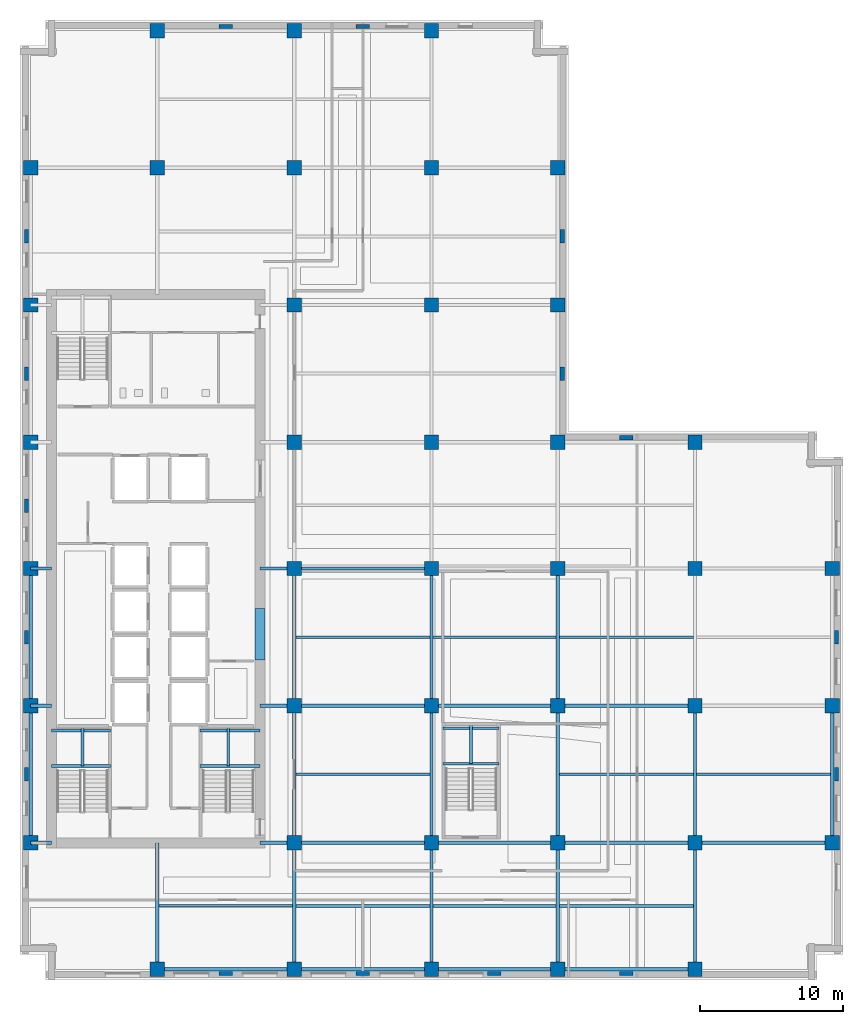
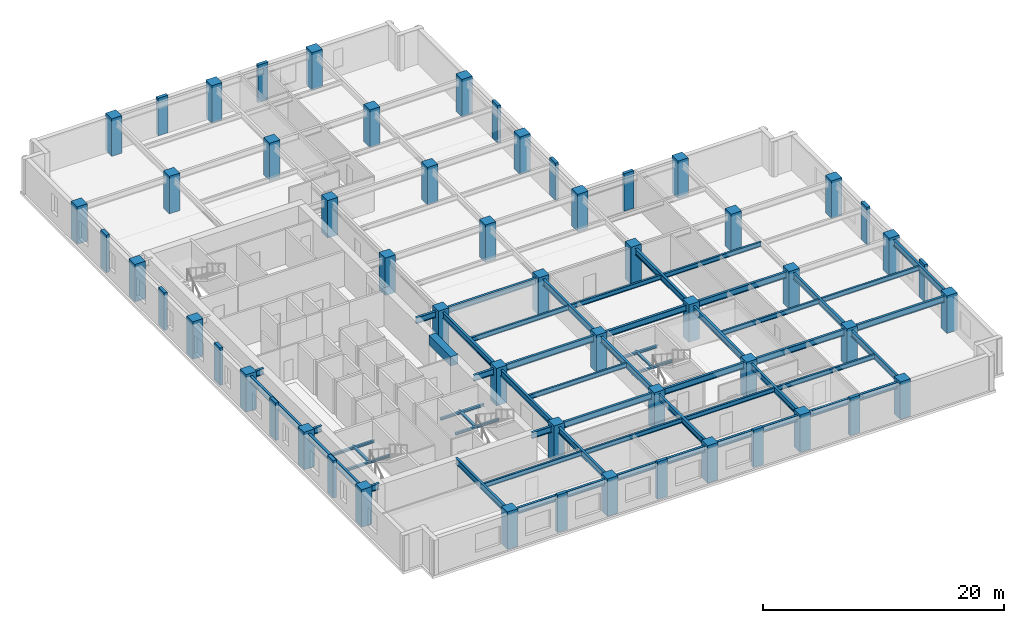
# One storey, part 1 of 13: 56 columns, 53 beams.
"""IFC4 building model written with IfcOpenShell, lengths in metres."""

from ifc_helpers import new_model, si_unit, direction, frame, origin, origin_2d, place, context, subcontext, project, spatial, rectangle, i_section, extrude, material, material_profile, profile_set, type_object, element, save


model = new_model("IFC4")

# Units and contexts
model_context = context("Model", 3, precision=1e-05, world=origin(), true_north=direction((0.0, 1.0)))
body_context = subcontext(model_context, "Body", "Model", "MODEL_VIEW")
ifc_project = project(units=[si_unit("LENGTHUNIT", "METRE"), si_unit("AREAUNIT", "SQUARE_METRE"), si_unit("VOLUMEUNIT", "CUBIC_METRE"), si_unit("PLANEANGLEUNIT", "RADIAN"), si_unit("MASSUNIT", "GRAM", prefix="KILO")], contexts=[model_context])

# Site, building, storey
site_placement = place(None, origin())
site = spatial("IfcSite", under=ifc_project, at=site_placement, CompositionType="ELEMENT")
building_placement = place(site_placement, origin())
building = spatial("IfcBuilding", under=site, at=building_placement, Name="Norrvale University Quadrangle", CompositionType="ELEMENT")
storey_placement = place(building_placement, frame((0.0, 0.0, 131.800048828125)))
storey = spatial("IfcBuildingStorey", under=building, at=storey_placement, Name="L33", CompositionType="ELEMENT", Elevation=131.800048828125)

# Columns
ifc_material_1 = material(Name="Red Manganese Brick Concrete C60/75", Category="concrete")
ifc_material_profile_1 = material_profile(ifc_material_1, rectangle(XDim=0.949951171875, YDim=0.300048828125, at=origin_2d()), Name="Red Manganese Brick Concrete C60/75")
ifc_profile_set_1 = profile_set([ifc_material_profile_1], Name="Red Manganese Brick Concrete C60/75")
column_type_1 = type_object("IfcColumnType", Name="Column Brick Pier 950x300", PredefinedType="PILASTER", material=ifc_profile_set_1)
for number, where, z_axis, x_axis, name in (
    (1, (0.449951171875, 14.39990234375, 0.0), (0.0, 0.0, 1.0), (0.0, 1.0, 0.0), "Exterior Brick Facade Pilaster L33-01"),
    (2, (0.449951171875, 24.0, 0.0), (0.0, 0.0, 1.0), (0.0, 1.0, 0.0), "Exterior Brick Facade Pilaster L33-02"),
    (3, (0.449951171875, 33.199951171875, 0.0), (0.0, 0.0, 1.0), (0.0, 1.0, 0.0), "Exterior Brick Facade Pilaster L33-03"),
    (4, (0.449951171875, 42.449951171875, 0.0), (0.0, 0.0, 1.0), (0.0, 1.0, 0.0), "Exterior Brick Facade Pilaster L33-04"),
    (5, (0.449951171875, 52.050048828125, 0.0), (0.0, 0.0, 1.0), (0.0, 1.0, 0.0), "Exterior Brick Facade Pilaster L33-05"),
    (6, (14.39990234375, 0.449951171875, 0.0), (0.0, 0.0, 1.0), (1.0, 0.0, 0.0), "Exterior Brick Facade Pilaster L33-06"),
    (7, (24.0, 0.449951171875, 0.0), (0.0, 0.0, 1.0), (1.0, 0.0, 0.0), "Exterior Brick Facade Pilaster L33-07"),
    (8, (33.199951171875, 0.449951171875, 0.0), (0.0, 0.0, 1.0), (1.0, 0.0, 0.0), "Exterior Brick Facade Pilaster L33-08"),
    (9, (42.449951171875, 0.449951171875, 0.0), (0.0, 0.0, 1.0), (1.0, 0.0, 0.0), "Exterior Brick Facade Pilaster L33-09"),
    (10, (57.14990234375, 14.39990234375, 0.0), (0.0, 0.0, 1.0), (0.0, 1.0, 0.0), "Exterior Brick Facade Pilaster L33-10"),
    (11, (57.14990234375, 24.0, 0.0), (0.0, 0.0, 1.0), (0.0, 1.0, 0.0), "Exterior Brick Facade Pilaster L33-11"),
    (12, (14.39990234375, 66.75, 0.0), (0.0, 0.0, 1.0), (1.0, 0.0, 0.0), "Exterior Brick Facade Pilaster L33-12"),
    (13, (24.0, 66.75, 0.0), (0.0, 0.0, 1.0), (1.0, 0.0, 0.0), "Exterior Brick Facade Pilaster L33-13"),
    (14, (37.949951171875, 42.449951171875, 0.0), (0.0, 0.0, 1.0), (0.0, 1.0, 0.0), "Exterior Brick Facade Pilaster L33-14"),
    (15, (37.949951171875, 52.050048828125, 0.0), (0.0, 0.0, 1.0), (0.0, 1.0, 0.0), "Exterior Brick Facade Pilaster L33-15"),
    (16, (42.449951171875, 37.949951171875, 0.0), (0.0, 0.0, 1.0), (1.0, 0.0, 0.0), "Exterior Brick Facade Pilaster L33-16"),
):
    element("IfcColumn", number, at=place(storey_placement, frame(where, z_axis=z_axis, x_axis=x_axis)), inside=storey, type_object=column_type_1, Name=name, PredefinedType="PILASTER", context=body_context, shape_type="SweptSolid", body=[
        extrude(rectangle(XDim=0.949951171875, YDim=0.300048828125, at=origin_2d()), origin(), (0.0, 0.0, 1.0), 3.800048828125),
    ])
ifc_material_2 = material(Name="Concrete C60/75", Category="concrete")
ifc_material_profile_2 = material_profile(ifc_material_2, rectangle(XDim=1.0, YDim=1.0, at=origin_2d()), Name="Concrete C60/75")
ifc_profile_set_2 = profile_set([ifc_material_profile_2], Name="Concrete C60/75")
column_type_2 = type_object("IfcColumnType", Name="Column Tower Z2 1000x1000", PredefinedType="COLUMN", material=ifc_profile_set_2)
for number, where, z_axis, x_axis, name in (
    (17, (0.75, 9.60009765625, 0.0), (0.0, 0.0, 1.0), (1.0, 0.0, 0.0), "Tower Column L33-T01"),
    (18, (0.75, 19.199951171875, 0.0), (0.0, 0.0, 1.0), (1.0, 0.0, 0.0), "Tower Column L33-T02"),
    (19, (0.75, 28.800048828125, 0.0), (0.0, 0.0, 1.0), (1.0, 0.0, 0.0), "Tower Column L33-T03"),
    (20, (0.75, 37.64990234375, 0.0), (0.0, 0.0, 1.0), (1.0, 0.0, 0.0), "Tower Column L33-T04"),
    (21, (0.75, 47.25, 0.0), (0.0, 0.0, 1.0), (1.0, 0.0, 0.0), "Tower Column L33-T05"),
    (22, (0.75, 56.85009765625, 0.0), (0.0, 0.0, 1.0), (1.0, 0.0, 0.0), "Tower Column L33-T06"),
    (23, (9.60009765625, 0.75, 0.0), (0.0, 0.0, 1.0), (1.0, 0.0, 0.0), "Tower Column L33-T07"),
    (24, (9.60009765625, 56.85009765625, 0.0), (0.0, 0.0, 1.0), (1.0, 0.0, 0.0), "Tower Column L33-T08"),
    (25, (9.60009765625, 66.449951171875, 0.0), (0.0, 0.0, 1.0), (1.0, 0.0, 0.0), "Tower Column L33-T09"),
    (26, (19.199951171875, 0.75, 0.0), (0.0, 0.0, 1.0), (1.0, 0.0, 0.0), "Tower Column L33-T10"),
    (27, (19.199951171875, 9.60009765625, 0.0), (0.0, 0.0, 1.0), (1.0, 0.0, 0.0), "Tower Column L33-T11"),
    (28, (19.199951171875, 19.199951171875, 0.0), (0.0, 0.0, 1.0), (1.0, 0.0, 0.0), "Tower Column L33-T12"),
    (29, (19.199951171875, 28.800048828125, 0.0), (0.0, 0.0, 1.0), (1.0, 0.0, 0.0), "Tower Column L33-T13"),
    (30, (19.199951171875, 37.64990234375, 0.0), (0.0, 0.0, 1.0), (1.0, 0.0, 0.0), "Tower Column L33-T14"),
    (31, (19.199951171875, 47.25, 0.0), (0.0, 0.0, 1.0), (1.0, 0.0, 0.0), "Tower Column L33-T15"),
    (32, (19.199951171875, 56.85009765625, 0.0), (0.0, 0.0, 1.0), (1.0, 0.0, 0.0), "Tower Column L33-T16"),
    (33, (19.199951171875, 66.449951171875, 0.0), (0.0, 0.0, 1.0), (1.0, 0.0, 0.0), "Tower Column L33-T17"),
    (34, (28.800048828125, 0.75, 0.0), (0.0, 0.0, 1.0), (1.0, 0.0, 0.0), "Tower Column L33-T18"),
    (35, (28.800048828125, 9.60009765625, 0.0), (0.0, 0.0, 1.0), (1.0, 0.0, 0.0), "Tower Column L33-T19"),
    (36, (28.800048828125, 19.199951171875, 0.0), (0.0, 0.0, 1.0), (1.0, 0.0, 0.0), "Tower Column L33-T20"),
    (37, (28.800048828125, 28.800048828125, 0.0), (0.0, 0.0, 1.0), (1.0, 0.0, 0.0), "Tower Column L33-T21"),
    (38, (28.800048828125, 37.64990234375, 0.0), (0.0, 0.0, 1.0), (1.0, 0.0, 0.0), "Tower Column L33-T22"),
    (39, (28.800048828125, 47.25, 0.0), (0.0, 0.0, 1.0), (1.0, 0.0, 0.0), "Tower Column L33-T23"),
    (40, (28.800048828125, 56.85009765625, 0.0), (0.0, 0.0, 1.0), (1.0, 0.0, 0.0), "Tower Column L33-T24"),
    (41, (28.800048828125, 66.449951171875, 0.0), (0.0, 0.0, 1.0), (1.0, 0.0, 0.0), "Tower Column L33-T25"),
    (42, (37.64990234375, 0.75, 0.0), (0.0, 0.0, 1.0), (1.0, 0.0, 0.0), "Tower Column L33-T26"),
    (43, (37.64990234375, 9.60009765625, 0.0), (0.0, 0.0, 1.0), (1.0, 0.0, 0.0), "Tower Column L33-T27"),
    (44, (37.64990234375, 19.199951171875, 0.0), (0.0, 0.0, 1.0), (1.0, 0.0, 0.0), "Tower Column L33-T28"),
    (45, (37.64990234375, 28.800048828125, 0.0), (0.0, 0.0, 1.0), (1.0, 0.0, 0.0), "Tower Column L33-T29"),
    (46, (37.64990234375, 37.64990234375, 0.0), (0.0, 0.0, 1.0), (1.0, 0.0, 0.0), "Tower Column L33-T30"),
    (47, (37.64990234375, 47.25, 0.0), (0.0, 0.0, 1.0), (1.0, 0.0, 0.0), "Tower Column L33-T31"),
    (48, (37.64990234375, 56.85009765625, 0.0), (0.0, 0.0, 1.0), (1.0, 0.0, 0.0), "Tower Column L33-T32"),
    (49, (47.25, 0.75, 0.0), (0.0, 0.0, 1.0), (1.0, 0.0, 0.0), "Tower Column L33-T33"),
    (50, (47.25, 9.60009765625, 0.0), (0.0, 0.0, 1.0), (1.0, 0.0, 0.0), "Tower Column L33-T34"),
    (51, (47.25, 19.199951171875, 0.0), (0.0, 0.0, 1.0), (1.0, 0.0, 0.0), "Tower Column L33-T35"),
    (52, (47.25, 28.800048828125, 0.0), (0.0, 0.0, 1.0), (1.0, 0.0, 0.0), "Tower Column L33-T36"),
    (53, (47.25, 37.64990234375, 0.0), (0.0, 0.0, 1.0), (1.0, 0.0, 0.0), "Tower Column L33-T37"),
    (54, (56.85009765625, 9.60009765625, 0.0), (0.0, 0.0, 1.0), (1.0, 0.0, 0.0), "Tower Column L33-T38"),
    (55, (56.85009765625, 19.199951171875, 0.0), (0.0, 0.0, 1.0), (1.0, 0.0, 0.0), "Tower Column L33-T39"),
    (56, (56.85009765625, 28.800048828125, 0.0), (0.0, 0.0, 1.0), (1.0, 0.0, 0.0), "Tower Column L33-T40"),
):
    element("IfcColumn", number, at=place(storey_placement, frame(where, z_axis=z_axis, x_axis=x_axis)), inside=storey, type_object=column_type_2, Name=name, PredefinedType="COLUMN", context=body_context, shape_type="SweptSolid", body=[
        extrude(rectangle(XDim=1.0, YDim=1.0, at=origin_2d()), origin(), (0.0, 0.0, 1.0), 3.800048828125),
    ])

# Beams
ifc_material_3 = material(Name="Concrete C80/95", Category="concrete")
ifc_material_profile_3 = material_profile(ifc_material_3, rectangle(XDim=0.699951171875, YDim=0.949951171875, at=origin_2d()), Name="Concrete C80/95")
ifc_profile_set_3 = profile_set([ifc_material_profile_3], Name="Concrete C80/95")
beam_type_1 = type_object("IfcBeamType", Name="Beam Core Link 700x950", PredefinedType="LINTEL", material=ifc_profile_set_3)
beam_1_placement = place(storey_placement, frame((16.800048828125, 22.39990234375, 3.06494140625), z_axis=(0.0, 1.0, 0.0), x_axis=(-1.0, 0.0, 0.0)))
element("IfcBeam", 57, at=beam_1_placement, inside=storey, type_object=beam_type_1, Name="Core Coupling Lintel Beam L33-1", PredefinedType="LINTEL", context=body_context, shape_type="SweptSolid", body=[
    extrude(rectangle(XDim=0.699951171875, YDim=0.949951171875, at=origin_2d()), origin(), (0.0, 0.0, 1.0), 3.60009765625),
])
ifc_material_4 = material(Name="Steel 350W", Category="steel")
ifc_material_profile_4 = material_profile(ifc_material_4, i_section(OverallWidth=0.18994140625, OverallDepth=0.45703125, WebThickness=0.009033203125, FlangeThickness=0.014404296875, FilletRadius=0.012939453125, at=origin_2d()), Name="Steel 350W")
ifc_profile_set_4 = profile_set([ifc_material_profile_4], Name="Steel 350W")
beam_type_2 = type_object("IfcBeamType", Name="Beam Floor W460x74", PredefinedType="JOIST", material=ifc_profile_set_4)
for number, where, z_axis, x_axis, name in (
    (58, (19.31494140625, 5.175048828125, 3.3115234375), (1.0, 0.0, 0.0), (0.0, 1.0, 0.0), "Beam Floor W460x74 BM-L33-J071"),
    (59, (19.31494140625, 14.39990234375, 3.3115234375), (1.0, 0.0, 0.0), (0.0, 1.0, 0.0), "Beam Floor W460x74 BM-L33-J072"),
    (60, (19.31494140625, 24.0, 3.3115234375), (1.0, 0.0, 0.0), (0.0, 1.0, 0.0), "Beam Floor W460x74 BM-L33-J073"),
):
    element("IfcBeam", number, at=place(storey_placement, frame(where, z_axis=z_axis, x_axis=x_axis)), inside=storey, type_object=beam_type_2, Name=name, PredefinedType="JOIST", context=body_context, shape_type="SweptSolid", body=[
        extrude(i_section(OverallWidth=0.18994140625, OverallDepth=0.45703125, WebThickness=0.009033203125, FlangeThickness=0.014404296875, FilletRadius=0.012939453125, at=origin_2d()), origin(), (0.0, 0.0, 1.0), 9.3701171875),
    ])
for number, where, z_axis, x_axis, name in (
    (61, (28.9150390625, 5.175048828125, 3.3115234375), (1.0, 0.0, 0.0), (0.0, 1.0, 0.0), "Beam Floor W460x74 BM-L33-J078"),
    (62, (28.9150390625, 24.0, 3.3115234375), (1.0, 0.0, 0.0), (0.0, 1.0, 0.0), "Beam Floor W460x74 BM-L33-J079"),
):
    element("IfcBeam", number, at=place(storey_placement, frame(where, z_axis=z_axis, x_axis=x_axis)), inside=storey, type_object=beam_type_2, Name=name, PredefinedType="JOIST", context=body_context, shape_type="SweptSolid", body=[
        extrude(i_section(OverallWidth=0.18994140625, OverallDepth=0.45703125, WebThickness=0.009033203125, FlangeThickness=0.014404296875, FilletRadius=0.012939453125, at=origin_2d()), origin(), (0.0, 0.0, 1.0), 8.619873046875),
    ])
for number, where, z_axis, x_axis, name in (
    (63, (37.764892578125, 5.175048828125, 3.3115234375), (1.0, 0.0, 0.0), (0.0, 1.0, 0.0), "Beam Floor W460x74 BM-L33-J083"),
    (64, (37.764892578125, 14.39990234375, 3.3115234375), (1.0, 0.0, 0.0), (0.0, 1.0, 0.0), "Beam Floor W460x74 BM-L33-J084"),
    (65, (37.764892578125, 24.0, 3.3115234375), (1.0, 0.0, 0.0), (0.0, 1.0, 0.0), "Beam Floor W460x74 BM-L33-J085"),
    (66, (47.364990234375, 14.39990234375, 3.3115234375), (1.0, 0.0, 0.0), (0.0, 1.0, 0.0), "Beam Floor W460x74 BM-L33-J087"),
):
    element("IfcBeam", number, at=place(storey_placement, frame(where, z_axis=z_axis, x_axis=x_axis)), inside=storey, type_object=beam_type_2, Name=name, PredefinedType="JOIST", context=body_context, shape_type="SweptSolid", body=[
        extrude(i_section(OverallWidth=0.18994140625, OverallDepth=0.45703125, WebThickness=0.009033203125, FlangeThickness=0.014404296875, FilletRadius=0.012939453125, at=origin_2d()), origin(), (0.0, 0.0, 1.0), 9.3701171875),
    ])
beam_2_placement = place(storey_placement, frame((9.715087890625, 5.199951171875, 3.3115234375), z_axis=(1.0, 0.0, 0.0), x_axis=(0.0, 1.0, 0.0)))
element("IfcBeam", 67, at=beam_2_placement, inside=storey, type_object=beam_type_2, Name="Beam Floor W460x74 BM-L33-JCS090", PredefinedType="JOIST", context=body_context, shape_type="SweptSolid", body=[
    extrude(i_section(OverallWidth=0.18994140625, OverallDepth=0.45703125, WebThickness=0.009033203125, FlangeThickness=0.014404296875, FilletRadius=0.012939453125, at=origin_2d()), origin(), (0.0, 0.0, 1.0), 9.369873046875),
])
ifc_material_profile_5 = material_profile(ifc_material_4, i_section(OverallWidth=0.22998046875, OverallDepth=0.616943359375, WebThickness=0.01318359375, FlangeThickness=0.022216796875, FilletRadius=0.01611328125, at=origin_2d()), Name="Steel 350W")
ifc_profile_set_5 = profile_set([ifc_material_profile_5], Name="Steel 350W")
beam_type_3 = type_object("IfcBeamType", Name="Beam Floor W610x140", PredefinedType="BEAM", material=ifc_profile_set_5)
beam_3_placement = place(storey_placement, frame((9.60009765625, 0.75, 3.2314453125), z_axis=(1.0, 0.0, 0.0), x_axis=(0.0, 1.0, 0.0)))
element("IfcBeam", 68, at=beam_3_placement, inside=storey, type_object=beam_type_3, Name="Beam Floor W610x140 BM-L33-GX001", PredefinedType="BEAM", context=body_context, shape_type="SweptSolid", body=[
    extrude(i_section(OverallWidth=0.22998046875, OverallDepth=0.616943359375, WebThickness=0.01318359375, FlangeThickness=0.022216796875, FilletRadius=0.01611328125, at=origin_2d()), origin(), (0.0, 0.0, 1.0), 9.599853515625),
])
beam_4_placement = place(storey_placement, frame((19.199951171875, 0.75, 3.2314453125), z_axis=(1.0, 0.0, 0.0), x_axis=(0.0, 1.0, 0.0)))
element("IfcBeam", 69, at=beam_4_placement, inside=storey, type_object=beam_type_3, Name="Beam Floor W610x140 BM-L33-GX002", PredefinedType="BEAM", context=body_context, shape_type="SweptSolid", body=[
    extrude(i_section(OverallWidth=0.22998046875, OverallDepth=0.616943359375, WebThickness=0.01318359375, FlangeThickness=0.022216796875, FilletRadius=0.01611328125, at=origin_2d()), origin(), (0.0, 0.0, 1.0), 9.60009765625),
])
beam_5_placement = place(storey_placement, frame((28.800048828125, 0.75, 3.2314453125), z_axis=(1.0, 0.0, 0.0), x_axis=(0.0, 1.0, 0.0)))
element("IfcBeam", 70, at=beam_5_placement, inside=storey, type_object=beam_type_3, Name="Beam Floor W610x140 BM-L33-GX003", PredefinedType="BEAM", context=body_context, shape_type="SweptSolid", body=[
    extrude(i_section(OverallWidth=0.22998046875, OverallDepth=0.616943359375, WebThickness=0.01318359375, FlangeThickness=0.022216796875, FilletRadius=0.01611328125, at=origin_2d()), origin(), (0.0, 0.0, 1.0), 8.849853515625),
])
for number, where, z_axis, x_axis, name in (
    (71, (37.64990234375, 0.75, 3.2314453125), (1.0, 0.0, 0.0), (0.0, 1.0, 0.0), "Beam Floor W610x140 BM-L33-GX004"),
    (72, (19.199951171875, 9.60009765625, 3.2314453125), (1.0, 0.0, 0.0), (0.0, 1.0, 0.0), "Beam Floor W610x140 BM-L33-GX005"),
):
    element("IfcBeam", number, at=place(storey_placement, frame(where, z_axis=z_axis, x_axis=x_axis)), inside=storey, type_object=beam_type_3, Name=name, PredefinedType="BEAM", context=body_context, shape_type="SweptSolid", body=[
        extrude(i_section(OverallWidth=0.22998046875, OverallDepth=0.616943359375, WebThickness=0.01318359375, FlangeThickness=0.022216796875, FilletRadius=0.01611328125, at=origin_2d()), origin(), (0.0, 0.0, 1.0), 9.60009765625),
    ])
beam_6_placement = place(storey_placement, frame((28.800048828125, 9.60009765625, 3.2314453125), z_axis=(1.0, 0.0, 0.0), x_axis=(0.0, 1.0, 0.0)))
element("IfcBeam", 73, at=beam_6_placement, inside=storey, type_object=beam_type_3, Name="Beam Floor W610x140 BM-L33-GX006", PredefinedType="BEAM", context=body_context, shape_type="SweptSolid", body=[
    extrude(i_section(OverallWidth=0.22998046875, OverallDepth=0.616943359375, WebThickness=0.01318359375, FlangeThickness=0.022216796875, FilletRadius=0.01611328125, at=origin_2d()), origin(), (0.0, 0.0, 1.0), 8.849853515625),
])
for number, where, z_axis, x_axis, name in (
    (74, (37.64990234375, 9.60009765625, 3.2314453125), (1.0, 0.0, 0.0), (0.0, 1.0, 0.0), "Beam Floor W610x140 BM-L33-GX007"),
    (75, (47.25, 9.60009765625, 3.2314453125), (1.0, 0.0, 0.0), (0.0, 1.0, 0.0), "Beam Floor W610x140 BM-L33-GX008"),
    (76, (19.199951171875, 19.199951171875, 3.2314453125), (1.0, 0.0, 0.0), (0.0, 1.0, 0.0), "Beam Floor W610x140 BM-L33-GX009"),
):
    element("IfcBeam", number, at=place(storey_placement, frame(where, z_axis=z_axis, x_axis=x_axis)), inside=storey, type_object=beam_type_3, Name=name, PredefinedType="BEAM", context=body_context, shape_type="SweptSolid", body=[
        extrude(i_section(OverallWidth=0.22998046875, OverallDepth=0.616943359375, WebThickness=0.01318359375, FlangeThickness=0.022216796875, FilletRadius=0.01611328125, at=origin_2d()), origin(), (0.0, 0.0, 1.0), 9.60009765625),
    ])
beam_7_placement = place(storey_placement, frame((28.800048828125, 19.199951171875, 3.2314453125), z_axis=(1.0, 0.0, 0.0), x_axis=(0.0, 1.0, 0.0)))
element("IfcBeam", 77, at=beam_7_placement, inside=storey, type_object=beam_type_3, Name="Beam Floor W610x140 BM-L33-GX010", PredefinedType="BEAM", context=body_context, shape_type="SweptSolid", body=[
    extrude(i_section(OverallWidth=0.22998046875, OverallDepth=0.616943359375, WebThickness=0.01318359375, FlangeThickness=0.022216796875, FilletRadius=0.01611328125, at=origin_2d()), origin(), (0.0, 0.0, 1.0), 8.849853515625),
])
for number, where, z_axis, x_axis, name in (
    (78, (37.64990234375, 19.199951171875, 3.2314453125), (1.0, 0.0, 0.0), (0.0, 1.0, 0.0), "Beam Floor W610x140 BM-L33-GX011"),
    (79, (19.199951171875, 28.800048828125, 3.2314453125), (1.0, 0.0, 0.0), (0.0, 1.0, 0.0), "Beam Floor W610x140 BM-L33-GX013"),
):
    element("IfcBeam", number, at=place(storey_placement, frame(where, z_axis=z_axis, x_axis=x_axis)), inside=storey, type_object=beam_type_3, Name=name, PredefinedType="BEAM", context=body_context, shape_type="SweptSolid", body=[
        extrude(i_section(OverallWidth=0.22998046875, OverallDepth=0.616943359375, WebThickness=0.01318359375, FlangeThickness=0.022216796875, FilletRadius=0.01611328125, at=origin_2d()), origin(), (0.0, 0.0, 1.0), 9.60009765625),
    ])
beam_8_placement = place(storey_placement, frame((0.75, 9.60009765625, 3.2314453125), z_axis=(0.0, 1.0, 0.0), x_axis=(-1.0, 0.0, 0.0)))
element("IfcBeam", 80, at=beam_8_placement, inside=storey, type_object=beam_type_3, Name="Beam Floor W610x140 BM-L33-GY028", PredefinedType="BEAM", context=body_context, shape_type="SweptSolid", body=[
    extrude(i_section(OverallWidth=0.22998046875, OverallDepth=0.616943359375, WebThickness=0.01318359375, FlangeThickness=0.022216796875, FilletRadius=0.01611328125, at=origin_2d()), origin(), (0.0, 0.0, 1.0), 9.599853515625),
])
beam_9_placement = place(storey_placement, frame((0.75, 19.199951171875, 3.2314453125), z_axis=(0.0, 1.0, 0.0), x_axis=(-1.0, 0.0, 0.0)))
element("IfcBeam", 81, at=beam_9_placement, inside=storey, type_object=beam_type_3, Name="Beam Floor W610x140 BM-L33-GY029", PredefinedType="BEAM", context=body_context, shape_type="SweptSolid", body=[
    extrude(i_section(OverallWidth=0.22998046875, OverallDepth=0.616943359375, WebThickness=0.01318359375, FlangeThickness=0.022216796875, FilletRadius=0.01611328125, at=origin_2d()), origin(), (0.0, 0.0, 1.0), 9.60009765625),
])
beam_10_placement = place(storey_placement, frame((19.199951171875, 0.75, 3.2314453125), z_axis=(0.0, 1.0, 0.0), x_axis=(-1.0, 0.0, 0.0)))
element("IfcBeam", 82, at=beam_10_placement, inside=storey, type_object=beam_type_3, Name="Beam Floor W610x140 BM-L33-GY034", PredefinedType="BEAM", context=body_context, shape_type="SweptSolid", body=[
    extrude(i_section(OverallWidth=0.22998046875, OverallDepth=0.616943359375, WebThickness=0.01318359375, FlangeThickness=0.022216796875, FilletRadius=0.01611328125, at=origin_2d()), origin(), (0.0, 0.0, 1.0), 8.85009765625),
])
beam_11_placement = place(storey_placement, frame((19.199951171875, 9.60009765625, 3.2314453125), z_axis=(0.0, 1.0, 0.0), x_axis=(-1.0, 0.0, 0.0)))
element("IfcBeam", 83, at=beam_11_placement, inside=storey, type_object=beam_type_3, Name="Beam Floor W610x140 BM-L33-GY035", PredefinedType="BEAM", context=body_context, shape_type="SweptSolid", body=[
    extrude(i_section(OverallWidth=0.22998046875, OverallDepth=0.616943359375, WebThickness=0.01318359375, FlangeThickness=0.022216796875, FilletRadius=0.01611328125, at=origin_2d()), origin(), (0.0, 0.0, 1.0), 9.599853515625),
])
beam_12_placement = place(storey_placement, frame((19.199951171875, 19.199951171875, 3.2314453125), z_axis=(0.0, 1.0, 0.0), x_axis=(-1.0, 0.0, 0.0)))
element("IfcBeam", 84, at=beam_12_placement, inside=storey, type_object=beam_type_3, Name="Beam Floor W610x140 BM-L33-GY036", PredefinedType="BEAM", context=body_context, shape_type="SweptSolid", body=[
    extrude(i_section(OverallWidth=0.22998046875, OverallDepth=0.616943359375, WebThickness=0.01318359375, FlangeThickness=0.022216796875, FilletRadius=0.01611328125, at=origin_2d()), origin(), (0.0, 0.0, 1.0), 9.60009765625),
])
beam_13_placement = place(storey_placement, frame((28.800048828125, 0.75, 3.2314453125), z_axis=(0.0, 1.0, 0.0), x_axis=(-1.0, 0.0, 0.0)))
element("IfcBeam", 85, at=beam_13_placement, inside=storey, type_object=beam_type_3, Name="Beam Floor W610x140 BM-L33-GY041", PredefinedType="BEAM", context=body_context, shape_type="SweptSolid", body=[
    extrude(i_section(OverallWidth=0.22998046875, OverallDepth=0.616943359375, WebThickness=0.01318359375, FlangeThickness=0.022216796875, FilletRadius=0.01611328125, at=origin_2d()), origin(), (0.0, 0.0, 1.0), 8.85009765625),
])
beam_14_placement = place(storey_placement, frame((28.800048828125, 9.60009765625, 3.2314453125), z_axis=(0.0, 1.0, 0.0), x_axis=(-1.0, 0.0, 0.0)))
element("IfcBeam", 86, at=beam_14_placement, inside=storey, type_object=beam_type_3, Name="Beam Floor W610x140 BM-L33-GY042", PredefinedType="BEAM", context=body_context, shape_type="SweptSolid", body=[
    extrude(i_section(OverallWidth=0.22998046875, OverallDepth=0.616943359375, WebThickness=0.01318359375, FlangeThickness=0.022216796875, FilletRadius=0.01611328125, at=origin_2d()), origin(), (0.0, 0.0, 1.0), 9.599853515625),
])
beam_15_placement = place(storey_placement, frame((28.800048828125, 19.199951171875, 3.2314453125), z_axis=(0.0, 1.0, 0.0), x_axis=(-1.0, 0.0, 0.0)))
element("IfcBeam", 87, at=beam_15_placement, inside=storey, type_object=beam_type_3, Name="Beam Floor W610x140 BM-L33-GY043", PredefinedType="BEAM", context=body_context, shape_type="SweptSolid", body=[
    extrude(i_section(OverallWidth=0.22998046875, OverallDepth=0.616943359375, WebThickness=0.01318359375, FlangeThickness=0.022216796875, FilletRadius=0.01611328125, at=origin_2d()), origin(), (0.0, 0.0, 1.0), 9.60009765625),
])
beam_16_placement = place(storey_placement, frame((37.64990234375, 0.75, 3.2314453125), z_axis=(0.0, 1.0, 0.0), x_axis=(-1.0, 0.0, 0.0)))
element("IfcBeam", 88, at=beam_16_placement, inside=storey, type_object=beam_type_3, Name="Beam Floor W610x140 BM-L33-GY048", PredefinedType="BEAM", context=body_context, shape_type="SweptSolid", body=[
    extrude(i_section(OverallWidth=0.22998046875, OverallDepth=0.616943359375, WebThickness=0.01318359375, FlangeThickness=0.022216796875, FilletRadius=0.01611328125, at=origin_2d()), origin(), (0.0, 0.0, 1.0), 8.85009765625),
])
beam_17_placement = place(storey_placement, frame((37.64990234375, 9.60009765625, 3.2314453125), z_axis=(0.0, 1.0, 0.0), x_axis=(-1.0, 0.0, 0.0)))
element("IfcBeam", 89, at=beam_17_placement, inside=storey, type_object=beam_type_3, Name="Beam Floor W610x140 BM-L33-GY049", PredefinedType="BEAM", context=body_context, shape_type="SweptSolid", body=[
    extrude(i_section(OverallWidth=0.22998046875, OverallDepth=0.616943359375, WebThickness=0.01318359375, FlangeThickness=0.022216796875, FilletRadius=0.01611328125, at=origin_2d()), origin(), (0.0, 0.0, 1.0), 9.599853515625),
])
beam_18_placement = place(storey_placement, frame((37.64990234375, 19.199951171875, 3.2314453125), z_axis=(0.0, 1.0, 0.0), x_axis=(-1.0, 0.0, 0.0)))
element("IfcBeam", 90, at=beam_18_placement, inside=storey, type_object=beam_type_3, Name="Beam Floor W610x140 BM-L33-GY050", PredefinedType="BEAM", context=body_context, shape_type="SweptSolid", body=[
    extrude(i_section(OverallWidth=0.22998046875, OverallDepth=0.616943359375, WebThickness=0.01318359375, FlangeThickness=0.022216796875, FilletRadius=0.01611328125, at=origin_2d()), origin(), (0.0, 0.0, 1.0), 9.60009765625),
])
beam_19_placement = place(storey_placement, frame((47.25, 0.75, 3.2314453125), z_axis=(0.0, 1.0, 0.0), x_axis=(-1.0, 0.0, 0.0)))
element("IfcBeam", 91, at=beam_19_placement, inside=storey, type_object=beam_type_3, Name="Beam Floor W610x140 BM-L33-GY054", PredefinedType="BEAM", context=body_context, shape_type="SweptSolid", body=[
    extrude(i_section(OverallWidth=0.22998046875, OverallDepth=0.616943359375, WebThickness=0.01318359375, FlangeThickness=0.022216796875, FilletRadius=0.01611328125, at=origin_2d()), origin(), (0.0, 0.0, 1.0), 8.85009765625),
])
for number, where, z_axis, x_axis, name in (
    (92, (47.25, 9.60009765625, 3.2314453125), (0.0, 1.0, 0.0), (-1.0, 0.0, 0.0), "Beam Floor W610x140 BM-L33-GY055"),
    (93, (56.85009765625, 9.60009765625, 3.2314453125), (0.0, 1.0, 0.0), (-1.0, 0.0, 0.0), "Beam Floor W610x140 BM-L33-GY058"),
):
    element("IfcBeam", number, at=place(storey_placement, frame(where, z_axis=z_axis, x_axis=x_axis)), inside=storey, type_object=beam_type_3, Name=name, PredefinedType="BEAM", context=body_context, shape_type="SweptSolid", body=[
        extrude(i_section(OverallWidth=0.22998046875, OverallDepth=0.616943359375, WebThickness=0.01318359375, FlangeThickness=0.022216796875, FilletRadius=0.01611328125, at=origin_2d()), origin(), (0.0, 0.0, 1.0), 9.599853515625),
    ])
beam_20_placement = place(storey_placement, frame((0.75, 9.60009765625, 3.2314453125), z_axis=(1.0, 0.0, 0.0), x_axis=(0.0, 1.0, 0.0)))
element("IfcBeam", 94, at=beam_20_placement, inside=storey, type_object=beam_type_3, Name="Beam Floor W610x140 BM-L33-GCW060", PredefinedType="BEAM", context=body_context, shape_type="SweptSolid", body=[
    extrude(i_section(OverallWidth=0.22998046875, OverallDepth=0.616943359375, WebThickness=0.01318359375, FlangeThickness=0.022216796875, FilletRadius=0.01611328125, at=origin_2d()), origin(), (0.0, 0.0, 1.0), 1.449951171875),
])
beam_21_placement = place(storey_placement, frame((16.800048828125, 9.60009765625, 3.2314453125), z_axis=(1.0, 0.0, 0.0), x_axis=(0.0, 1.0, 0.0)))
element("IfcBeam", 95, at=beam_21_placement, inside=storey, type_object=beam_type_3, Name="Beam Floor W610x140 BM-L33-GCE061", PredefinedType="BEAM", context=body_context, shape_type="SweptSolid", body=[
    extrude(i_section(OverallWidth=0.22998046875, OverallDepth=0.616943359375, WebThickness=0.01318359375, FlangeThickness=0.022216796875, FilletRadius=0.01611328125, at=origin_2d()), origin(), (0.0, 0.0, 1.0), 2.39990234375),
])
beam_22_placement = place(storey_placement, frame((0.75, 19.199951171875, 3.2314453125), z_axis=(1.0, 0.0, 0.0), x_axis=(0.0, 1.0, 0.0)))
element("IfcBeam", 96, at=beam_22_placement, inside=storey, type_object=beam_type_3, Name="Beam Floor W610x140 BM-L33-GCW062", PredefinedType="BEAM", context=body_context, shape_type="SweptSolid", body=[
    extrude(i_section(OverallWidth=0.22998046875, OverallDepth=0.616943359375, WebThickness=0.01318359375, FlangeThickness=0.022216796875, FilletRadius=0.01611328125, at=origin_2d()), origin(), (0.0, 0.0, 1.0), 1.449951171875),
])
beam_23_placement = place(storey_placement, frame((16.800048828125, 19.199951171875, 3.2314453125), z_axis=(1.0, 0.0, 0.0), x_axis=(0.0, 1.0, 0.0)))
element("IfcBeam", 97, at=beam_23_placement, inside=storey, type_object=beam_type_3, Name="Beam Floor W610x140 BM-L33-GCE063", PredefinedType="BEAM", context=body_context, shape_type="SweptSolid", body=[
    extrude(i_section(OverallWidth=0.22998046875, OverallDepth=0.616943359375, WebThickness=0.01318359375, FlangeThickness=0.022216796875, FilletRadius=0.01611328125, at=origin_2d()), origin(), (0.0, 0.0, 1.0), 2.39990234375),
])
beam_24_placement = place(storey_placement, frame((0.75, 28.800048828125, 3.2314453125), z_axis=(1.0, 0.0, 0.0), x_axis=(0.0, 1.0, 0.0)))
element("IfcBeam", 98, at=beam_24_placement, inside=storey, type_object=beam_type_3, Name="Beam Floor W610x140 BM-L33-GCW064", PredefinedType="BEAM", context=body_context, shape_type="SweptSolid", body=[
    extrude(i_section(OverallWidth=0.22998046875, OverallDepth=0.616943359375, WebThickness=0.01318359375, FlangeThickness=0.022216796875, FilletRadius=0.01611328125, at=origin_2d()), origin(), (0.0, 0.0, 1.0), 1.449951171875),
])
beam_25_placement = place(storey_placement, frame((16.800048828125, 28.800048828125, 3.2314453125), z_axis=(1.0, 0.0, 0.0), x_axis=(0.0, 1.0, 0.0)))
element("IfcBeam", 99, at=beam_25_placement, inside=storey, type_object=beam_type_3, Name="Beam Floor W610x140 BM-L33-GCE065", PredefinedType="BEAM", context=body_context, shape_type="SweptSolid", body=[
    extrude(i_section(OverallWidth=0.22998046875, OverallDepth=0.616943359375, WebThickness=0.01318359375, FlangeThickness=0.022216796875, FilletRadius=0.01611328125, at=origin_2d()), origin(), (0.0, 0.0, 1.0), 2.39990234375),
])
beam_26_placement = place(storey_placement, frame((9.60009765625, 0.75, 3.2314453125), z_axis=(0.0, 1.0, 0.0), x_axis=(-1.0, 0.0, 0.0)))
element("IfcBeam", 100, at=beam_26_placement, inside=storey, type_object=beam_type_3, Name="Beam Floor W610x140 BM-L33-GCS089", PredefinedType="BEAM", context=body_context, shape_type="SweptSolid", body=[
    extrude(i_section(OverallWidth=0.22998046875, OverallDepth=0.616943359375, WebThickness=0.01318359375, FlangeThickness=0.022216796875, FilletRadius=0.01611328125, at=origin_2d()), origin(), (0.0, 0.0, 1.0), 8.85009765625),
])
ifc_material_profile_6 = material_profile(ifc_material_4, i_section(OverallWidth=0.201904296875, OverallDepth=0.2470703125, WebThickness=0.00732421875, FlangeThickness=0.010986328125, FilletRadius=0.011962890625, at=origin_2d()), Name="Steel 350W")
ifc_profile_set_6 = profile_set([ifc_material_profile_6], Name="Steel 350W")
beam_type_4 = type_object("IfcBeamType", Name="Beam Stair W250x49", PredefinedType="BEAM", material=ifc_profile_set_6)
for number, where, z_axis, x_axis, name in (
    (101, (2.199951171875, 14.989990234375, 1.576416015625), (1.0, 0.0, 0.0), (0.0, 1.0, 0.0), "Stair Mid-Landing Front Beam ST-01 L33"),
    (102, (2.199951171875, 17.469970703125, 1.576416015625), (1.0, 0.0, 0.0), (0.0, 1.0, 0.0), "Stair Mid-Landing Rear Beam ST-01 L33"),
):
    element("IfcBeam", number, at=place(storey_placement, frame(where, z_axis=z_axis, x_axis=x_axis)), inside=storey, type_object=beam_type_4, Name=name, PredefinedType="BEAM", context=body_context, shape_type="SweptSolid", body=[
        extrude(i_section(OverallWidth=0.201904296875, OverallDepth=0.2470703125, WebThickness=0.00732421875, FlangeThickness=0.010986328125, FilletRadius=0.011962890625, at=origin_2d()), origin(), (0.0, 0.0, 1.0), 4.14013671875),
    ])
for number, where, z_axis, x_axis, name in (
    (103, (12.610107421875, 14.989990234375, 1.576416015625), (1.0, 0.0, 0.0), (0.0, 1.0, 0.0), "Stair Mid-Landing Front Beam ST-03 L33"),
    (104, (12.610107421875, 17.469970703125, 1.576416015625), (1.0, 0.0, 0.0), (0.0, 1.0, 0.0), "Stair Mid-Landing Rear Beam ST-03 L33"),
):
    element("IfcBeam", number, at=place(storey_placement, frame(where, z_axis=z_axis, x_axis=x_axis)), inside=storey, type_object=beam_type_4, Name=name, PredefinedType="BEAM", context=body_context, shape_type="SweptSolid", body=[
        extrude(i_section(OverallWidth=0.201904296875, OverallDepth=0.2470703125, WebThickness=0.00732421875, FlangeThickness=0.010986328125, FilletRadius=0.011962890625, at=origin_2d()), origin(), (0.0, 0.0, 1.0), 4.18994140625),
    ])
for number, where, z_axis, x_axis, name in (
    (105, (29.610107421875, 15.139892578125, 1.576416015625), (1.0, 0.0, 0.0), (0.0, 1.0, 0.0), "Stair Mid-Landing Front Beam ST-04 L33"),
    (106, (29.610107421875, 17.6201171875, 1.576416015625), (1.0, 0.0, 0.0), (0.0, 1.0, 0.0), "Stair Mid-Landing Rear Beam ST-04 L33"),
):
    element("IfcBeam", number, at=place(storey_placement, frame(where, z_axis=z_axis, x_axis=x_axis)), inside=storey, type_object=beam_type_4, Name=name, PredefinedType="BEAM", context=body_context, shape_type="SweptSolid", body=[
        extrude(i_section(OverallWidth=0.201904296875, OverallDepth=0.2470703125, WebThickness=0.00732421875, FlangeThickness=0.010986328125, FilletRadius=0.011962890625, at=origin_2d()), origin(), (0.0, 0.0, 1.0), 3.929931640625),
    ])
ifc_material_profile_7 = material_profile(ifc_material_4, i_section(OverallWidth=0.202880859375, OverallDepth=0.202880859375, WebThickness=0.007080078125, FlangeThickness=0.010986328125, FilletRadius=0.010009765625, at=origin_2d()), Name="Steel 350W")
ifc_profile_set_7 = profile_set([ifc_material_profile_7], Name="Steel 350W")
beam_type_5 = type_object("IfcBeamType", Name="Beam Trim W200x46", PredefinedType="BEAM", material=ifc_profile_set_7)
for number, where, z_axis, x_axis, name in (
    (107, (4.375, 14.989990234375, 1.598388671875), (0.0, 1.0, 0.0), (-1.0, 0.0, 0.0), "Stair Mid-Landing Cross Beam ST-01 L33"),
    (108, (14.574951171875, 14.989990234375, 1.598388671875), (0.0, 1.0, 0.0), (-1.0, 0.0, 0.0), "Stair Mid-Landing Cross Beam ST-03 L33"),
    (109, (31.574951171875, 15.139892578125, 1.598388671875), (0.0, 1.0, 0.0), (-1.0, 0.0, 0.0), "Stair Mid-Landing Cross Beam ST-04 L33"),
):
    element("IfcBeam", number, at=place(storey_placement, frame(where, z_axis=z_axis, x_axis=x_axis)), inside=storey, type_object=beam_type_5, Name=name, PredefinedType="BEAM", context=body_context, shape_type="SweptSolid", body=[
        extrude(i_section(OverallWidth=0.202880859375, OverallDepth=0.202880859375, WebThickness=0.007080078125, FlangeThickness=0.010986328125, FilletRadius=0.010009765625, at=origin_2d()), origin(), (0.0, 0.0, 1.0), 2.800048828125),
    ])

save(model, "model.ifc")
